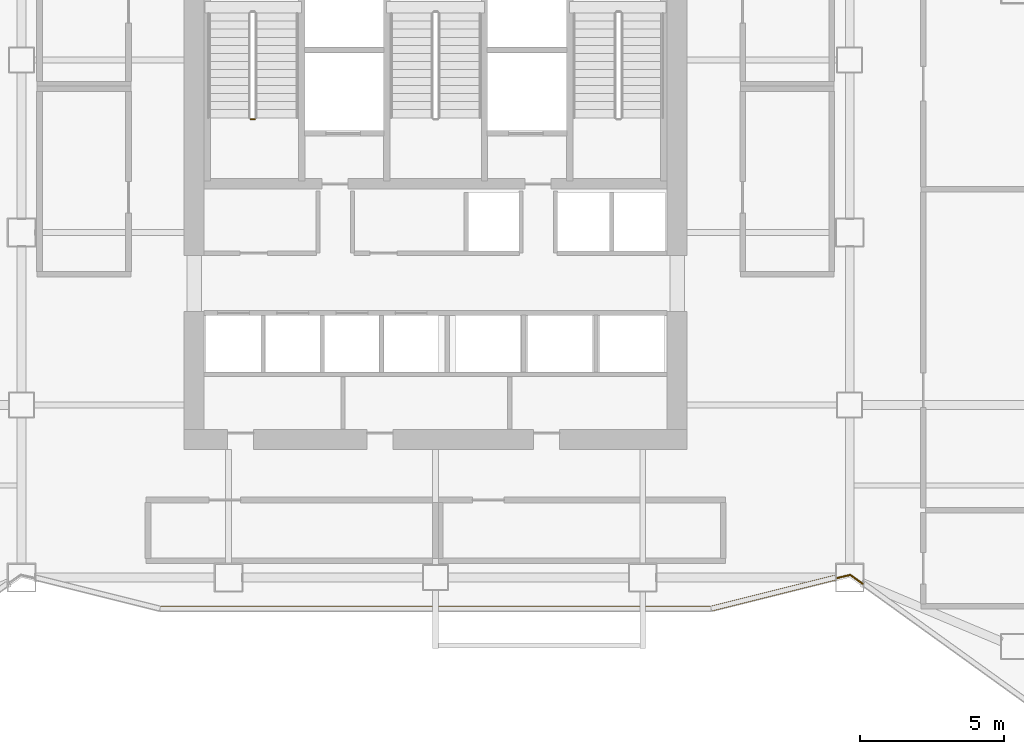
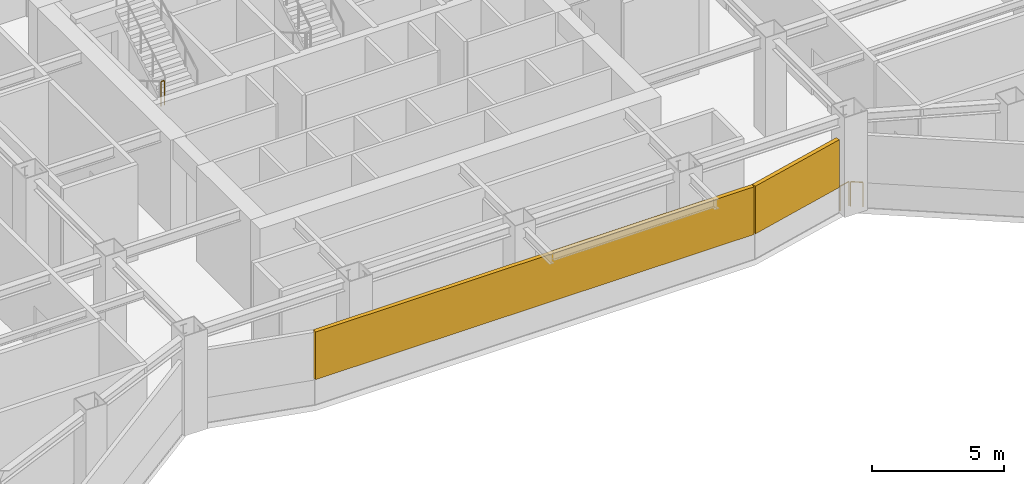
# One storey, part 7 of 12: 3 railings, 2 shading devices.
"""IFC4 building model written with IfcOpenShell, lengths in metres."""

from ifc_helpers import new_model, si_unit, direction, frame, origin, origin_2d, place, context, subcontext, project, spatial, rectangle, circle, extrude, material, type_object, element, save


model = new_model("IFC4")

# Units and contexts
model_context = context("Model", 3, precision=1e-05, world=origin(), true_north=direction((0.0, 1.0)))
body_context = subcontext(model_context, "Body", "Model", "MODEL_VIEW")
ifc_project = project(units=[si_unit("LENGTHUNIT", "METRE"), si_unit("AREAUNIT", "SQUARE_METRE"), si_unit("VOLUMEUNIT", "CUBIC_METRE"), si_unit("PLANEANGLEUNIT", "RADIAN"), si_unit("MASSUNIT", "GRAM", prefix="KILO")], contexts=[model_context])

# Site, building, storey
site_placement = place(None, origin())
site = spatial("IfcSite", under=ifc_project, at=site_placement, CompositionType="ELEMENT")
building_placement = place(site_placement, origin())
building = spatial("IfcBuilding", under=site, at=building_placement, Name="Haolan Belvedere Tower", CompositionType="ELEMENT")
storey_placement = place(building_placement, frame((0.0, 0.0, 136.39990234375)))
storey = spatial("IfcBuildingStorey", under=building, at=storey_placement, Name="L34", CompositionType="ELEMENT", Elevation=136.39990234375)

# Railings
ifc_material_1 = material(Name="Galvanised powder-coated steel guardrail", Category="steel")
railing_type_1 = type_object("IfcRailingType", Name="RL-REF-GRD-1150", PredefinedType="GUARDRAIL", material=ifc_material_1)
railing_1_placement = place(storey_placement, frame((53.25830078125, 21.380859375, 0.0)))
element("IfcRailing", 1, at=railing_1_placement, inside=storey, type_object=railing_type_1, Name="L34 refuge corner safety guardrail 3A", PredefinedType="GUARDRAIL", context=body_context, shape_type="SweptSolid", body=[
    extrude(circle(Radius=0.02392578125, at=origin_2d()), frame((0.0, 0.0, 1.1259765625), z_axis=(-0.811445651793, 0.584427886215, 0.0), x_axis=(-0.584427886215, -0.811445651793, 0.0)), (0.0, 0.0, 1.0), 0.469970703125),
    extrude(circle(Radius=0.02099609375, at=origin_2d()), origin(), (0.0, 0.0, 1.0), 1.101806640625),
    extrude(circle(Radius=0.02099609375, at=origin_2d()), frame((-0.38134765625, 0.274658203125, 0.0)), (0.0, 0.0, 1.0), 1.101806640625),
])
railing_2_placement = place(storey_placement, frame((52.828125, 21.690673828125, 0.0)))
element("IfcRailing", 2, at=railing_2_placement, inside=storey, type_object=railing_type_1, Name="L34 refuge corner safety guardrail 3B", PredefinedType="GUARDRAIL", context=body_context, shape_type="SweptSolid", body=[
    extrude(circle(Radius=0.02392578125, at=origin_2d()), frame((0.0, 0.0, 1.1259765625), z_axis=(-0.974532291101, -0.224247215372, 0.0), x_axis=(0.224247215372, -0.974532291101, 0.0)), (0.0, 0.0, 1.0), 0.466064453125),
    extrude(circle(Radius=0.02099609375, at=origin_2d()), origin(), (0.0, 0.0, 1.0), 1.101806640625),
    extrude(circle(Radius=0.02099609375, at=origin_2d()), frame((-0.4541015625, -0.1044921875, 0.0)), (0.0, 0.0, 1.0), 1.101806640625),
])
ifc_material_2 = material(Name="Brushed stainless steel 304", Category="steel")
railing_type_2 = type_object("IfcRailingType", Name="RL-STAIR-GRD-1150", PredefinedType="GUARDRAIL", material=ifc_material_2)
railing_3_placement = place(storey_placement, frame((31.969970703125, 37.5400390625, 2.300048828125)))
element("IfcRailing", 3, at=railing_3_placement, inside=storey, type_object=railing_type_2, Name="L34 ST1 stair guard 2", PredefinedType="GUARDRAIL", context=body_context, shape_type="SweptSolid", body=[
    extrude(circle(Radius=0.02392578125, at=origin_2d()), frame((0.0, 0.0, 1.1259765625), z_axis=(1.0, 0.0, 0.0), x_axis=(0.0, 1.0, 0.0)), (0.0, 0.0, 1.0), 0.14013671875),
    extrude(circle(Radius=0.02099609375, at=origin_2d()), origin(), (0.0, 0.0, 1.0), 1.101806640625),
    extrude(circle(Radius=0.02099609375, at=origin_2d()), frame((0.14013671875, 0.0, 0.0)), (0.0, 0.0, 1.0), 1.101806640625),
])

# Shading devices
ifc_material_3 = material(Name="Anodised champagne-silver aluminium 6063-T6", Category="aluminium")
shading_device_type = type_object("IfcShadingDeviceType", Name="SHD-LOUV-180", PredefinedType="JALOUSIE", material=ifc_material_3)
shading_device_1_placement = place(storey_placement, frame((38.39990234375, 20.52001953125, 1.14990234375), z_axis=(0.0, 0.0, 1.0), x_axis=(1.0, 0.0, 0.0)))
element("IfcShadingDevice", 4, at=shading_device_1_placement, inside=storey, type_object=shading_device_type, Name="L34 refuge storm-proof louvre bank 7.1", PredefinedType="JALOUSIE", context=body_context, shape_type="SweptSolid", body=[
    extrude(rectangle(XDim=19.13037109375, YDim=0.179931640625, at=origin_2d()), origin(), (0.0, 0.0, 1.0), 2.199951171875),
])
shading_device_2_placement = place(storey_placement, frame((50.146484375, 21.060302734375, 1.14990234375), z_axis=(0.0, 0.0, 1.0), x_axis=(0.970143530747, 0.242531502591, 0.0)))
element("IfcShadingDevice", 5, at=shading_device_2_placement, inside=storey, type_object=shading_device_type, Name="L34 refuge storm-proof louvre bank 8.1", PredefinedType="JALOUSIE", context=body_context, shape_type="SweptSolid", body=[
    extrude(rectangle(XDim=4.415771484375, YDim=0.179931640625, at=origin_2d()), origin(), (0.0, 0.0, 1.0), 2.199951171875),
])

save(model, "model.ifc")
